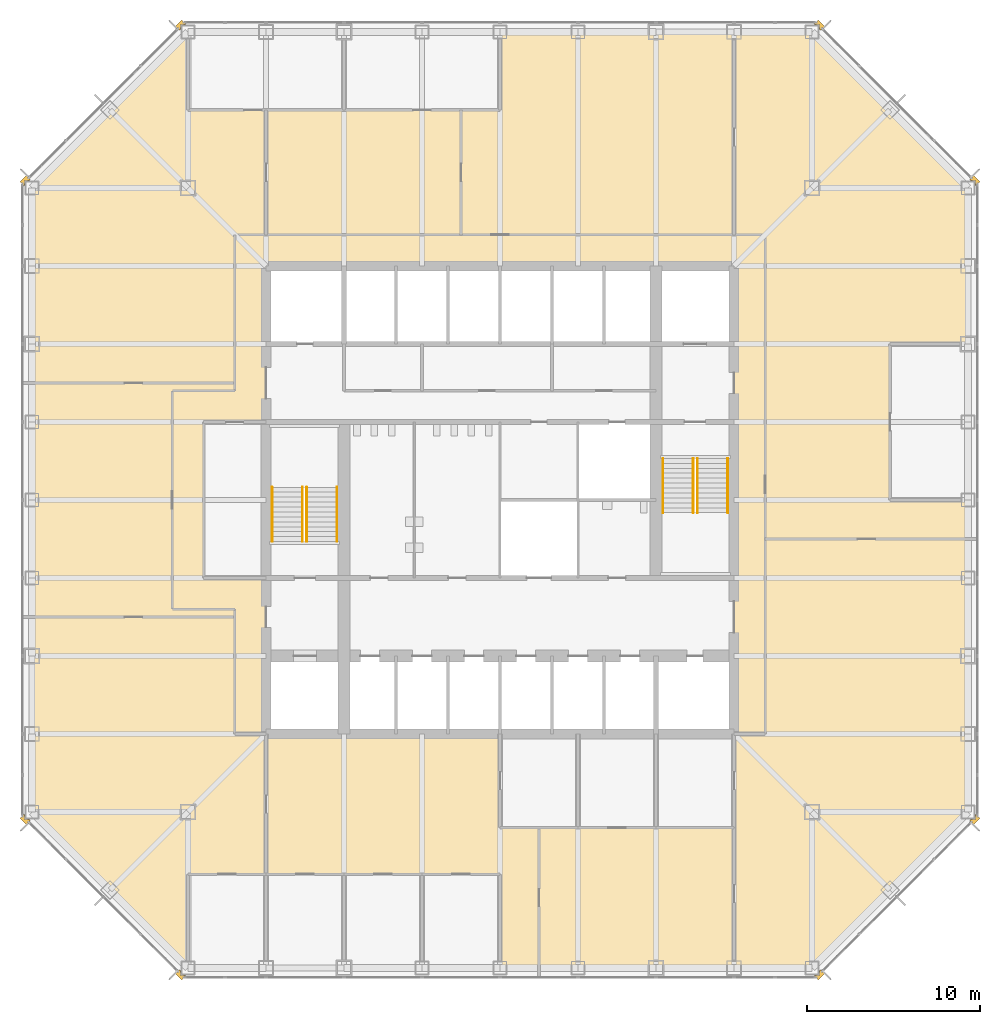
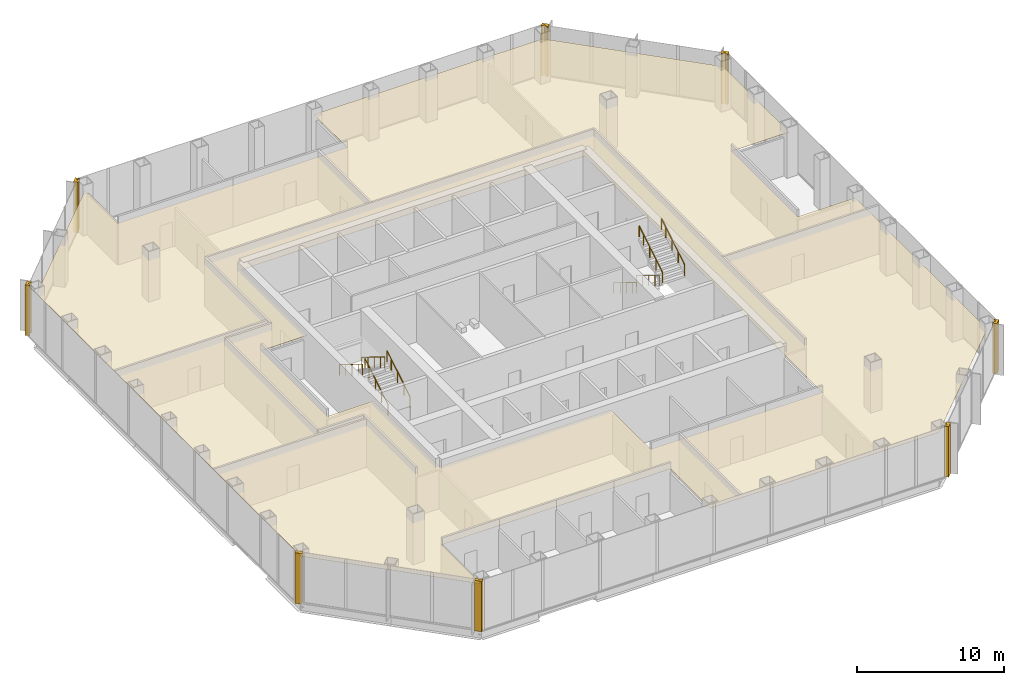
# One storey, part 12 of 13: 9 coverings, 8 railings.
"""IFC4 building model written with IfcOpenShell, lengths in metres."""

from ifc_helpers import new_model, si_unit, direction, frame, origin, origin_2d, place, context, subcontext, project, spatial, polyline, circle, outline, extrude, material, layer, layer_set, type_object, element, save


model = new_model("IFC4")

# Units and contexts
model_context = context("Model", 3, precision=1e-05, world=origin(), true_north=direction((0.0, 1.0)))
body_context = subcontext(model_context, "Body", "Model", "MODEL_VIEW")
ifc_project = project(units=[si_unit("LENGTHUNIT", "METRE"), si_unit("AREAUNIT", "SQUARE_METRE"), si_unit("VOLUMEUNIT", "CUBIC_METRE"), si_unit("PLANEANGLEUNIT", "RADIAN"), si_unit("MASSUNIT", "GRAM", prefix="KILO")], contexts=[model_context])

# Site, building, storey
site_placement = place(None, origin())
site = spatial("IfcSite", under=ifc_project, at=site_placement, CompositionType="ELEMENT")
building_placement = place(site_placement, origin())
building = spatial("IfcBuilding", under=site, at=building_placement, Name="Corais Broadcast Tower", CompositionType="ELEMENT")
storey_placement = place(building_placement, frame((0.0, 0.0, 96.199951171875)))
storey = spatial("IfcBuildingStorey", under=building, at=storey_placement, Name="L21", CompositionType="ELEMENT", Elevation=96.199951171875)

# Railings
ifc_material_1 = material(Name="Stainless steel handrail", Category="steel")
railing_type = type_object("IfcRailingType", Name="Handrail 920", PredefinedType="HANDRAIL", material=ifc_material_1)
for number, where, name in (
    (1, (17.60009765625, 24.60009765625, 0.175048828125), "HR1 L21"),
    (2, (15.85009765625, 24.60009765625, 0.175048828125), "HR1 L21"),
):
    element("IfcRailing", number, at=place(storey_placement, frame(where)), inside=storey, type_object=railing_type, Name=name, PredefinedType="HANDRAIL", context=body_context, shape_type="SweptSolid", body=[
        extrude(circle(Radius=0.02392578125, at=origin_2d()), frame((0.0, 0.0, 0.89599609375), z_axis=(0.0, 0.852166034122, 0.523271488128), x_axis=(-1.0, 0.0, 0.0)), (0.0, 0.0, 1.0), 3.678955078125),
        extrude(circle(Radius=0.02099609375, at=origin_2d()), origin(), (0.0, 0.0, 1.0), 0.871826171875),
        extrude(circle(Radius=0.02099609375, at=origin_2d()), frame((0.0, 0.85498046875, 0.52490234375)), (0.0, 0.0, 1.0), 0.871826171875),
        extrude(circle(Radius=0.02099609375, at=origin_2d()), frame((0.0, 1.7099609375, 1.050048828125)), (0.0, 0.0, 1.0), 0.871826171875),
        extrude(circle(Radius=0.02099609375, at=origin_2d()), frame((0.0, 2.56494140625, 1.574951171875)), (0.0, 0.0, 1.0), 0.871826171875),
        extrude(circle(Radius=0.02099609375, at=origin_2d()), frame((0.0, 3.135009765625, 1.925048828125)), (0.0, 0.0, 1.0), 0.871826171875),
    ])
for number, where, name in (
    (3, (13.85009765625, 27.735107421875, 2.275146484375), "HR1 L21"),
    (4, (15.60009765625, 27.735107421875, 2.275146484375), "HR1 L21"),
):
    element("IfcRailing", number, at=place(storey_placement, frame(where)), inside=storey, type_object=railing_type, Name=name, PredefinedType="HANDRAIL", context=body_context, shape_type="SweptSolid", body=[
        extrude(circle(Radius=0.02392578125, at=origin_2d()), frame((0.0, 0.0, 0.89599609375), z_axis=(0.0, -0.852195625947, 0.523223293744), x_axis=(1.0, 0.0, 0.0)), (0.0, 0.0, 1.0), 3.6787109375),
        extrude(circle(Radius=0.02099609375, at=origin_2d()), origin(), (0.0, 0.0, 1.0), 0.871826171875),
        extrude(circle(Radius=0.02099609375, at=origin_2d()), frame((0.0, -0.85498046875, 0.52490234375)), (0.0, 0.0, 1.0), 0.871826171875),
        extrude(circle(Radius=0.02099609375, at=origin_2d()), frame((0.0, -1.7099609375, 1.0498046875)), (0.0, 0.0, 1.0), 0.871826171875),
        extrude(circle(Radius=0.02099609375, at=origin_2d()), frame((0.0, -2.56494140625, 1.574951171875)), (0.0, 0.0, 1.0), 0.871826171875),
        extrude(circle(Radius=0.02099609375, at=origin_2d()), frame((0.0, -3.135009765625, 1.9248046875)), (0.0, 0.0, 1.0), 0.871826171875),
    ])
for number, where, name in (
    (5, (36.39990234375, 29.39990234375, 0.175048828125), "HR1 L21"),
    (6, (38.14990234375, 29.39990234375, 0.175048828125), "HR1 L21"),
):
    element("IfcRailing", number, at=place(storey_placement, frame(where)), inside=storey, type_object=railing_type, Name=name, PredefinedType="HANDRAIL", context=body_context, shape_type="SweptSolid", body=[
        extrude(circle(Radius=0.02392578125, at=origin_2d()), frame((0.0, 0.0, 0.89599609375), z_axis=(0.0, -0.852166034122, 0.523271488128), x_axis=(1.0, 0.0, 0.0)), (0.0, 0.0, 1.0), 3.678955078125),
        extrude(circle(Radius=0.02099609375, at=origin_2d()), origin(), (0.0, 0.0, 1.0), 0.871826171875),
        extrude(circle(Radius=0.02099609375, at=origin_2d()), frame((0.0, -0.85498046875, 0.52490234375)), (0.0, 0.0, 1.0), 0.871826171875),
        extrude(circle(Radius=0.02099609375, at=origin_2d()), frame((0.0, -1.7099609375, 1.050048828125)), (0.0, 0.0, 1.0), 0.871826171875),
        extrude(circle(Radius=0.02099609375, at=origin_2d()), frame((0.0, -2.56494140625, 1.574951171875)), (0.0, 0.0, 1.0), 0.871826171875),
        extrude(circle(Radius=0.02099609375, at=origin_2d()), frame((0.0, -3.135009765625, 1.925048828125)), (0.0, 0.0, 1.0), 0.871826171875),
    ])
for number, where, name in (
    (7, (40.14990234375, 26.264892578125, 2.275146484375), "HR1 L21"),
    (8, (38.39990234375, 26.264892578125, 2.275146484375), "HR1 L21"),
):
    element("IfcRailing", number, at=place(storey_placement, frame(where)), inside=storey, type_object=railing_type, Name=name, PredefinedType="HANDRAIL", context=body_context, shape_type="SweptSolid", body=[
        extrude(circle(Radius=0.02392578125, at=origin_2d()), frame((0.0, 0.0, 0.89599609375), z_axis=(0.0, 0.852195625947, 0.523223293744), x_axis=(-1.0, 0.0, 0.0)), (0.0, 0.0, 1.0), 3.6787109375),
        extrude(circle(Radius=0.02099609375, at=origin_2d()), origin(), (0.0, 0.0, 1.0), 0.871826171875),
        extrude(circle(Radius=0.02099609375, at=origin_2d()), frame((0.0, 0.85498046875, 0.52490234375)), (0.0, 0.0, 1.0), 0.871826171875),
        extrude(circle(Radius=0.02099609375, at=origin_2d()), frame((0.0, 1.7099609375, 1.0498046875)), (0.0, 0.0, 1.0), 0.871826171875),
        extrude(circle(Radius=0.02099609375, at=origin_2d()), frame((0.0, 2.56494140625, 1.574951171875)), (0.0, 0.0, 1.0), 0.871826171875),
        extrude(circle(Radius=0.02099609375, at=origin_2d()), frame((0.0, 3.135009765625, 1.9248046875)), (0.0, 0.0, 1.0), 0.871826171875),
    ])

# Coverings
ifc_material_2 = material(Name="Granite stone cladding", Category="masonry")
ifc_layer_1 = layer(ifc_material_2, 0.324951171875)
ifc_layer_set_1 = layer_set([ifc_layer_1], Name="Granite stone cladding")
covering_type_1 = type_object("IfcCoveringType", Name="Stone corner pier cladding 500x325", PredefinedType="CLADDING", material=ifc_layer_set_1)
covering_1_placement = place(storey_placement, origin())
element("IfcCovering", 9, at=covering_1_placement, inside=storey, type_object=covering_type_1, Name="SP1 stone corner pier L21", PredefinedType="CLADDING", context=body_context, shape_type="SweptSolid", body=[
    extrude(outline(polyline([(8.860595703125, -0.461669921875), (8.823974609375, -0.425048828125), (8.574951171875, -0.425048828125), (8.574951171875, -0.176025390625), (8.507080078125, -0.108154296875), (8.277099609375, -0.337890625), (8.630859375, -0.69140625), (8.860595703125, -0.461669921875)])), origin(), (0.0, 0.0, 1.0), 4.199951171875),
])
covering_2_placement = place(storey_placement, origin())
element("IfcCovering", 10, at=covering_2_placement, inside=storey, type_object=covering_type_1, Name="SP1 stone corner pier L21", PredefinedType="CLADDING", context=body_context, shape_type="SweptSolid", body=[
    extrude(outline(polyline([(-0.425048828125, 8.823974609375), (-0.461669921875, 8.860595703125), (-0.69140625, 8.630859375), (-0.337890625, 8.277099609375), (-0.108154296875, 8.507080078125), (-0.176025390625, 8.574951171875), (-0.425048828125, 8.574951171875), (-0.425048828125, 8.823974609375)])), origin(), (0.0, 0.0, 1.0), 4.199951171875),
])
covering_3_placement = place(storey_placement, origin())
element("IfcCovering", 11, at=covering_3_placement, inside=storey, type_object=covering_type_1, Name="SP1 stone corner pier L21", PredefinedType="CLADDING", context=body_context, shape_type="SweptSolid", body=[
    extrude(outline(polyline([(-0.461669921875, 45.139404296875), (-0.425048828125, 45.176025390625), (-0.425048828125, 45.425048828125), (-0.176025390625, 45.425048828125), (-0.108154296875, 45.492919921875), (-0.337890625, 45.722900390625), (-0.69140625, 45.369140625), (-0.461669921875, 45.139404296875)])), origin(), (0.0, 0.0, 1.0), 4.199951171875),
])
covering_4_placement = place(storey_placement, origin())
element("IfcCovering", 12, at=covering_4_placement, inside=storey, type_object=covering_type_1, Name="SP1 stone corner pier L21", PredefinedType="CLADDING", context=body_context, shape_type="SweptSolid", body=[
    extrude(outline(polyline([(8.823974609375, 54.425048828125), (8.860595703125, 54.461669921875), (8.630859375, 54.69140625), (8.277099609375, 54.337890625), (8.507080078125, 54.108154296875), (8.574951171875, 54.176025390625), (8.574951171875, 54.425048828125), (8.823974609375, 54.425048828125)])), origin(), (0.0, 0.0, 1.0), 4.199951171875),
])
covering_5_placement = place(storey_placement, origin())
element("IfcCovering", 13, at=covering_5_placement, inside=storey, type_object=covering_type_1, Name="SP1 stone corner pier L21", PredefinedType="CLADDING", context=body_context, shape_type="SweptSolid", body=[
    extrude(outline(polyline([(45.139404296875, 54.461669921875), (45.176025390625, 54.425048828125), (45.425048828125, 54.425048828125), (45.425048828125, 54.176025390625), (45.492919921875, 54.108154296875), (45.722900390625, 54.337890625), (45.369140625, 54.69140625), (45.139404296875, 54.461669921875)])), origin(), (0.0, 0.0, 1.0), 4.199951171875),
])
covering_6_placement = place(storey_placement, origin())
element("IfcCovering", 14, at=covering_6_placement, inside=storey, type_object=covering_type_1, Name="SP1 stone corner pier L21", PredefinedType="CLADDING", context=body_context, shape_type="SweptSolid", body=[
    extrude(outline(polyline([(54.425048828125, 45.176025390625), (54.461669921875, 45.139404296875), (54.69140625, 45.369140625), (54.337890625, 45.722900390625), (54.108154296875, 45.492919921875), (54.176025390625, 45.425048828125), (54.425048828125, 45.425048828125), (54.425048828125, 45.176025390625)])), origin(), (0.0, 0.0, 1.0), 4.199951171875),
])
covering_7_placement = place(storey_placement, origin())
element("IfcCovering", 15, at=covering_7_placement, inside=storey, type_object=covering_type_1, Name="SP1 stone corner pier L21", PredefinedType="CLADDING", context=body_context, shape_type="SweptSolid", body=[
    extrude(outline(polyline([(54.461669921875, 8.860595703125), (54.425048828125, 8.823974609375), (54.425048828125, 8.574951171875), (54.176025390625, 8.574951171875), (54.108154296875, 8.507080078125), (54.337890625, 8.277099609375), (54.69140625, 8.630859375), (54.461669921875, 8.860595703125)])), origin(), (0.0, 0.0, 1.0), 4.199951171875),
])
covering_8_placement = place(storey_placement, origin())
element("IfcCovering", 16, at=covering_8_placement, inside=storey, type_object=covering_type_1, Name="SP1 stone corner pier L21", PredefinedType="CLADDING", context=body_context, shape_type="SweptSolid", body=[
    extrude(outline(polyline([(45.176025390625, -0.425048828125), (45.139404296875, -0.461669921875), (45.369140625, -0.69140625), (45.722900390625, -0.337890625), (45.492919921875, -0.108154296875), (45.425048828125, -0.176025390625), (45.425048828125, -0.425048828125), (45.176025390625, -0.425048828125)])), origin(), (0.0, 0.0, 1.0), 4.199951171875),
])
ifc_material_3 = material(Name="Mineral fibre ceiling tile", Category="mineral")
ifc_layer_2 = layer(ifc_material_3, 0.02001953125)
ifc_layer_set_2 = layer_set([ifc_layer_2], Name="Mineral fibre ceiling tile")
covering_type_2 = type_object("IfcCoveringType", Name="Suspended ceiling", PredefinedType="CEILING", material=ifc_layer_set_2)
covering_9_placement = place(storey_placement, frame((0.0, 0.0, 3.420166015625)))
element("IfcCovering", 17, at=covering_9_placement, inside=storey, type_object=covering_type_2, Name="CE1 ceiling L21", PredefinedType="CEILING", context=body_context, shape_type="SweptSolid", body=[
    extrude(outline(polyline([(54.0, 9.0), (45.0, 0.0), (27.0, 0.0), (27.0, 5.39990234375), (9.0, 5.39990234375), (9.0, 0.0), (0.0, 9.0), (0.0, 45.0), (9.0, 54.0), (9.0, 49.5), (27.0, 49.5), (27.0, 54.0), (45.0, 54.0), (54.0, 45.0), (54.0, 36.0), (49.5, 36.0), (49.5, 27.0), (54.0, 27.0), (54.0, 9.0)]), holes=[polyline([(40.5, 40.5), (13.5, 40.5), (13.5, 31.5), (9.89990234375, 31.5), (9.89990234375, 22.5), (13.5, 22.5), (13.5, 13.5), (27.0, 13.5), (27.0, 8.10009765625), (40.5, 8.10009765625), (40.5, 40.5)])]), origin(), (0.0, 0.0, 1.0), 0.019775390625),
])

save(model, "model.ifc")
